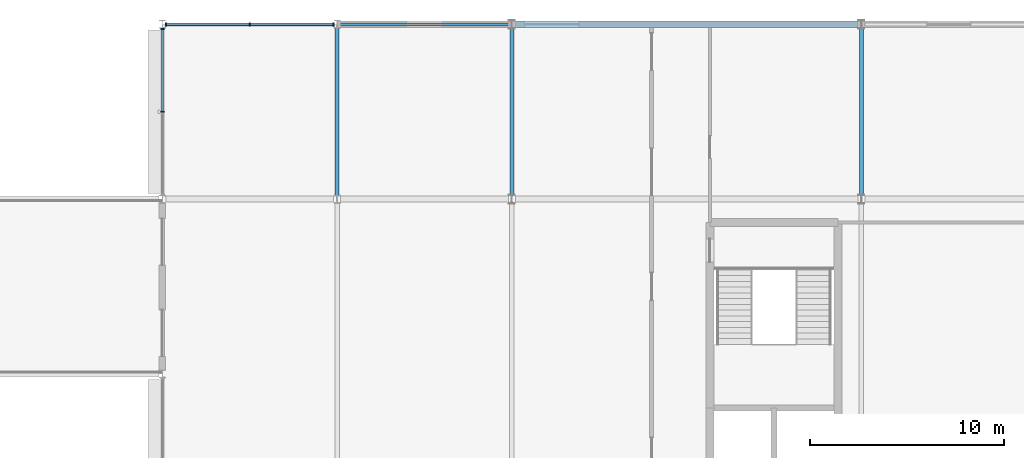
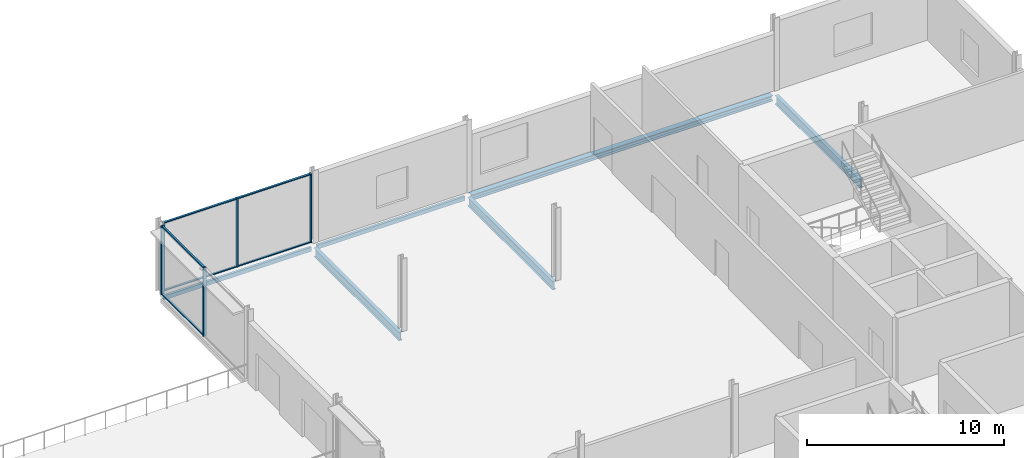
# One storey, part 33 of 73: 11 members, 6 beams, 2 elements without a shape of their own.
"""IFC4 building model written with IfcOpenShell, lengths in metres."""

from ifc_helpers import new_model, si_unit, direction, frame, origin, origin_2d, place, context, subcontext, project, spatial, rectangle, hollow_rectangle, i_section, extrude, material, layer, layer_set, material_profile, profile_set, type_object, element, aggregate, save


model = new_model("IFC4")

# Units and contexts
model_context = context("Model", 3, precision=1e-05, world=origin(), true_north=direction((0.0, 1.0)))
body_context = subcontext(model_context, "Body", "Model", "MODEL_VIEW")
ifc_project = project(units=[si_unit("LENGTHUNIT", "METRE"), si_unit("AREAUNIT", "SQUARE_METRE"), si_unit("VOLUMEUNIT", "CUBIC_METRE"), si_unit("PLANEANGLEUNIT", "RADIAN"), si_unit("MASSUNIT", "GRAM", prefix="KILO")], contexts=[model_context])

# Site, building, storey
site_placement = place(None, origin())
site = spatial("IfcSite", under=ifc_project, at=site_placement, CompositionType="ELEMENT")
building_placement = place(site_placement, origin())
building = spatial("IfcBuilding", under=site, at=building_placement, Name="Kisiwana Market Hall", CompositionType="ELEMENT")
storey_placement = place(building_placement, frame((0.0, 0.0, 33.300048828125)))
storey = spatial("IfcBuildingStorey", under=building, at=storey_placement, Name="L07", CompositionType="ELEMENT", Elevation=33.300048828125)

# Beams
ifc_material_1 = material(Name="Steel S355", Category="steel")
ifc_material_profile_1 = material_profile(ifc_material_1, i_section(OverallWidth=0.209228515625, OverallDepth=0.533203125, WebThickness=0.010009765625, FlangeThickness=0.015625, at=origin_2d()), Name="UB 533x210x92")
ifc_profile_set_1 = profile_set([ifc_material_profile_1], Name="Steel S355")
beam_type_1 = type_object("IfcBeamType", Name="BM-GIRD-UB533", PredefinedType="BEAM", material=ifc_profile_set_1)
beam_1_placement = place(storey_placement, frame((162.0, 102.177001953125, -0.546630859375), z_axis=(0.0, 1.0, 0.0), x_axis=(-1.0, 0.0, 0.0)))
element("IfcBeam", 1, at=beam_1_placement, inside=storey, type_object=beam_type_1, Name="Primary girder B-1916", PredefinedType="BEAM", context=body_context, shape_type="SweptSolid", body=[
    extrude(i_section(OverallWidth=0.209228515625, OverallDepth=0.533203125, WebThickness=0.010009765625, FlangeThickness=0.015625, at=origin_2d()), origin(), (0.0, 0.0, 1.0), 8.64599609375),
])
for number, where, z_axis, x_axis, name in (
    (2, (171.0, 102.183349609375, -0.546630859375), (0.0, 1.0, 0.0), (-1.0, 0.0, 0.0), "Primary girder B-1920"),
    (3, (189.0, 102.183349609375, -0.546630859375), (0.0, 1.0, 0.0), (-1.0, 0.0, 0.0), "Primary girder B-1926"),
):
    element("IfcBeam", number, at=place(storey_placement, frame(where, z_axis=z_axis, x_axis=x_axis)), inside=storey, type_object=beam_type_1, Name=name, PredefinedType="BEAM", context=body_context, shape_type="SweptSolid", body=[
        extrude(i_section(OverallWidth=0.209228515625, OverallDepth=0.533203125, WebThickness=0.010009765625, FlangeThickness=0.015625, at=origin_2d()), origin(), (0.0, 0.0, 1.0), 8.63330078125),
    ])
ifc_material_2 = material(Name="Steel S355", Category="steel")
ifc_material_profile_2 = material_profile(ifc_material_2, i_section(OverallWidth=0.314453125, OverallDepth=0.33984375, WebThickness=0.01904296875, FlangeThickness=0.031494140625, at=origin_2d()), Name="UC 305x305x198")
ifc_profile_set_2 = profile_set([ifc_material_profile_2], Name="Steel S355")
beam_type_2 = type_object("IfcBeamType", Name="BM-SKYBR-CHORD", PredefinedType="BEAM", material=ifc_profile_set_2)
beam_2_placement = place(storey_placement, frame((171.183349609375, 111.0, -0.449951171875), z_axis=(1.0, 0.0, 0.0), x_axis=(0.0, 1.0, 0.0)))
element("IfcBeam", 4, at=beam_2_placement, inside=storey, type_object=beam_type_2, Name="Floor beam B-2027", PredefinedType="BEAM", context=body_context, shape_type="SweptSolid", body=[
    extrude(i_section(OverallWidth=0.314453125, OverallDepth=0.33984375, WebThickness=0.01904296875, FlangeThickness=0.031494140625, at=origin_2d()), origin(), (0.0, 0.0, 1.0), 17.63330078125),
])
ifc_material_3 = material(Name="Steel S355", Category="steel")
ifc_material_profile_3 = material_profile(ifc_material_3, hollow_rectangle(XDim=0.14990234375, YDim=0.25, WallThickness=0.010009765625, at=origin_2d()), Name="RHS 250x150x10.0")
ifc_profile_set_3 = profile_set([ifc_material_profile_3], Name="Steel S355")
beam_type_3 = type_object("IfcBeamType", Name="BM-SPAN-RHS250", PredefinedType="SPANDREL", material=ifc_profile_set_3)
beam_3_placement = place(storey_placement, frame((153.18115234375, 111.0, -0.405029296875), z_axis=(1.0, 0.0, 0.0), x_axis=(0.0, 1.0, 0.0)))
element("IfcBeam", 5, at=beam_3_placement, inside=storey, type_object=beam_type_3, Name="Floor beam B-2025", PredefinedType="SPANDREL", context=body_context, shape_type="SweptSolid", body=[
    extrude(hollow_rectangle(XDim=0.14990234375, YDim=0.25, WallThickness=0.010009765625, at=origin_2d()), origin(), (0.0, 0.0, 1.0), 8.6376953125),
])
beam_4_placement = place(storey_placement, frame((162.18115234375, 111.0, -0.405029296875), z_axis=(1.0, 0.0, 0.0), x_axis=(0.0, 1.0, 0.0)))
element("IfcBeam", 6, at=beam_4_placement, inside=storey, type_object=beam_type_3, Name="Floor beam B-2026", PredefinedType="SPANDREL", context=body_context, shape_type="SweptSolid", body=[
    extrude(hollow_rectangle(XDim=0.14990234375, YDim=0.25, WallThickness=0.010009765625, at=origin_2d()), origin(), (0.0, 0.0, 1.0), 8.635498046875),
])

# Curtain wall, members
ifc_material_4 = material(Name="Double-glazed solar-control low-E IGU", Category="glass")
ifc_layer = layer(ifc_material_4, 0.159912109375)
ifc_layer_set = layer_set([ifc_layer], Name="CW-BRG-L07-8200")
curtain_wall_type = type_object("IfcCurtainWallType", Name="CW-BRG-L07-8200", PredefinedType="USERDEFINED", material=ifc_layer_set)
curtain_wall_1_placement = place(storey_placement, origin())
curtain_wall_1 = element("IfcCurtainWall", 7, at=curtain_wall_1_placement, inside=storey, type_object=curtain_wall_type, Name="Unitised curtain wall CW-226 (L07)", ObjectType="UNITISED CURTAIN WALL", PredefinedType="USERDEFINED")
ifc_material_5 = material(Name="Aluminium alloy 6063-T6", Category="aluminium")
ifc_material_profile_4 = material_profile(ifc_material_5, rectangle(XDim=0.070068359375, YDim=0.179931640625, at=origin_2d()), Name="ALU MULLION 70x180")
ifc_profile_set_4 = profile_set([ifc_material_profile_4], Name="Aluminium alloy 6063-T6")
member_type_1 = type_object("IfcMemberType", Name="CW-MULL-70x180", PredefinedType="MULLION", material=ifc_profile_set_4)
member_1_placement = place(storey_placement, frame((153.18505859375, 111.0, 0.0), z_axis=(0.0, 0.0, 1.0), x_axis=(1.0, 0.0, 0.0)))
member_1 = element("IfcMember", 8, at=member_1_placement, type_object=member_type_1, Name="CW-226 mullion 1", PredefinedType="MULLION", context=body_context, shape_type="SweptSolid", body=[
    extrude(rectangle(XDim=0.070068359375, YDim=0.179931640625, at=origin_2d()), origin(), (0.0, 0.0, 1.0), 4.2548828125),
])
member_2_placement = place(storey_placement, frame((157.5, 111.0, 0.0), z_axis=(0.0, 0.0, 1.0), x_axis=(1.0, 0.0, 0.0)))
member_2 = element("IfcMember", 9, at=member_2_placement, type_object=member_type_1, Name="CW-226 mullion 2", PredefinedType="MULLION", context=body_context, shape_type="SweptSolid", body=[
    extrude(rectangle(XDim=0.070068359375, YDim=0.179931640625, at=origin_2d()), origin(), (0.0, 0.0, 1.0), 4.2548828125),
])
member_3_placement = place(storey_placement, frame((161.81494140625, 111.0, 0.0), z_axis=(0.0, 0.0, 1.0), x_axis=(1.0, 0.0, 0.0)))
member_3 = element("IfcMember", 10, at=member_3_placement, type_object=member_type_1, Name="CW-226 mullion 3", PredefinedType="MULLION", context=body_context, shape_type="SweptSolid", body=[
    extrude(rectangle(XDim=0.070068359375, YDim=0.179931640625, at=origin_2d()), origin(), (0.0, 0.0, 1.0), 4.2548828125),
])

curtain_wall_2_placement = place(storey_placement, origin())
curtain_wall_2 = element("IfcCurtainWall", 11, at=curtain_wall_2_placement, inside=storey, type_object=curtain_wall_type, Name="Unitised curtain wall CW-236 (L07)", ObjectType="UNITISED CURTAIN WALL", PredefinedType="USERDEFINED")
member_4_placement = place(storey_placement, frame((153.0, 106.5, 0.0), z_axis=(0.0, 0.0, 1.0), x_axis=(0.0, 1.0, 0.0)))
member_4 = element("IfcMember", 12, at=member_4_placement, type_object=member_type_1, Name="CW-236 mullion 2", PredefinedType="MULLION", context=body_context, shape_type="SweptSolid", body=[
    extrude(rectangle(XDim=0.070068359375, YDim=0.179931640625, at=origin_2d()), origin(), (0.0, 0.0, 1.0), 4.2548828125),
])
member_5_placement = place(storey_placement, frame((153.0, 110.764892578125, 0.0), z_axis=(0.0, 0.0, 1.0), x_axis=(0.0, 1.0, 0.0)))
member_5 = element("IfcMember", 13, at=member_5_placement, type_object=member_type_1, Name="CW-236 mullion 3", PredefinedType="MULLION", context=body_context, shape_type="SweptSolid", body=[
    extrude(rectangle(XDim=0.070068359375, YDim=0.179931640625, at=origin_2d()), origin(), (0.0, 0.0, 1.0), 4.2548828125),
])

# Member
ifc_material_6 = material(Name="Aluminium alloy 6063-T6", Category="aluminium")
ifc_material_profile_5 = material_profile(ifc_material_6, rectangle(XDim=0.1201171875, YDim=0.06005859375, at=origin_2d()), Name="ALU TRANSOM 60x120")
ifc_profile_set_5 = profile_set([ifc_material_profile_5], Name="Aluminium alloy 6063-T6")
member_type_2 = type_object("IfcMemberType", Name="CW-TRAN-60x120", PredefinedType="USERDEFINED", material=ifc_profile_set_5)
member_6_placement = place(storey_placement, frame((153.219970703125, 111.0, 0.030029296875), z_axis=(1.0, 0.0, 0.0), x_axis=(0.0, 1.0, 0.0)))
member_6 = element("IfcMember", 14, at=member_6_placement, type_object=member_type_2, Name="CW-226 transom 1.1", ObjectType="TRANSOM", PredefinedType="USERDEFINED", context=body_context, shape_type="SweptSolid", body=[
    extrude(rectangle(XDim=0.1201171875, YDim=0.06005859375, at=origin_2d()), origin(), (0.0, 0.0, 1.0), 4.2451171875),
])

member_7_placement = place(storey_placement, frame((153.219970703125, 111.0, 4.224853515625), z_axis=(1.0, 0.0, 0.0), x_axis=(0.0, 1.0, 0.0)))
member_7 = element("IfcMember", 15, at=member_7_placement, type_object=member_type_2, Name="CW-226 transom 1.2", ObjectType="TRANSOM", PredefinedType="USERDEFINED", context=body_context, shape_type="SweptSolid", body=[
    extrude(rectangle(XDim=0.1201171875, YDim=0.06005859375, at=origin_2d()), origin(), (0.0, 0.0, 1.0), 4.2451171875),
])

member_8_placement = place(storey_placement, frame((157.534912109375, 111.0, 0.030029296875), z_axis=(1.0, 0.0, 0.0), x_axis=(0.0, 1.0, 0.0)))
member_8 = element("IfcMember", 16, at=member_8_placement, type_object=member_type_2, Name="CW-226 transom 2.1", ObjectType="TRANSOM", PredefinedType="USERDEFINED", context=body_context, shape_type="SweptSolid", body=[
    extrude(rectangle(XDim=0.1201171875, YDim=0.06005859375, at=origin_2d()), origin(), (0.0, 0.0, 1.0), 4.2451171875),
])

member_9_placement = place(storey_placement, frame((157.534912109375, 111.0, 4.224853515625), z_axis=(1.0, 0.0, 0.0), x_axis=(0.0, 1.0, 0.0)))
member_9 = element("IfcMember", 17, at=member_9_placement, type_object=member_type_2, Name="CW-226 transom 2.2", ObjectType="TRANSOM", PredefinedType="USERDEFINED", context=body_context, shape_type="SweptSolid", body=[
    extrude(rectangle(XDim=0.1201171875, YDim=0.06005859375, at=origin_2d()), origin(), (0.0, 0.0, 1.0), 4.2451171875),
])

aggregate(curtain_wall_1, [member_1, member_2, member_3, member_6, member_7, member_8, member_9])

member_10_placement = place(storey_placement, frame((153.0, 106.534912109375, 0.030029296875), z_axis=(0.0, 1.0, 0.0), x_axis=(-1.0, 0.0, 0.0)))
member_10 = element("IfcMember", 18, at=member_10_placement, type_object=member_type_2, Name="CW-236 transom 2.1", ObjectType="TRANSOM", PredefinedType="USERDEFINED", context=body_context, shape_type="SweptSolid", body=[
    extrude(rectangle(XDim=0.1201171875, YDim=0.06005859375, at=origin_2d()), origin(), (0.0, 0.0, 1.0), 4.195068359375),
])

member_11_placement = place(storey_placement, frame((153.0, 106.534912109375, 4.224853515625), z_axis=(0.0, 1.0, 0.0), x_axis=(-1.0, 0.0, 0.0)))
member_11 = element("IfcMember", 19, at=member_11_placement, type_object=member_type_2, Name="CW-236 transom 2.2", ObjectType="TRANSOM", PredefinedType="USERDEFINED", context=body_context, shape_type="SweptSolid", body=[
    extrude(rectangle(XDim=0.1201171875, YDim=0.06005859375, at=origin_2d()), origin(), (0.0, 0.0, 1.0), 4.195068359375),
])

aggregate(curtain_wall_2, [member_4, member_5, member_10, member_11])

save(model, "model.ifc")
